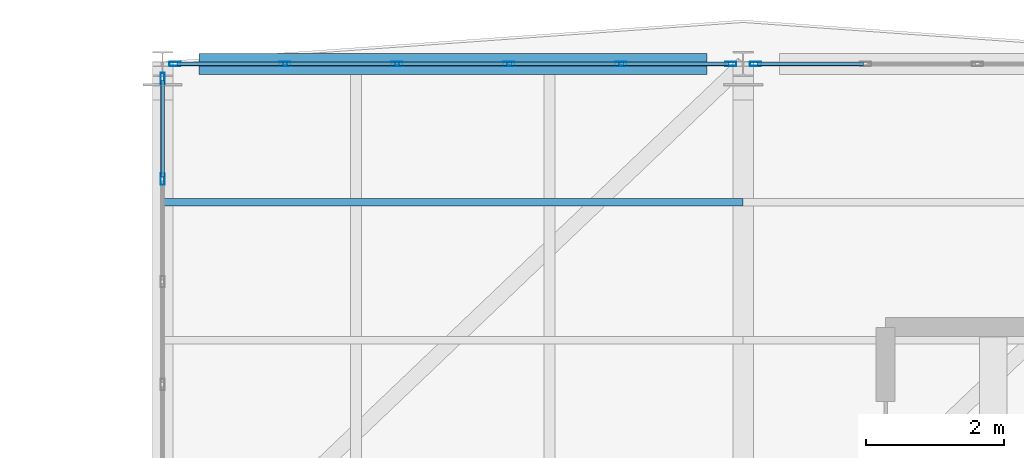
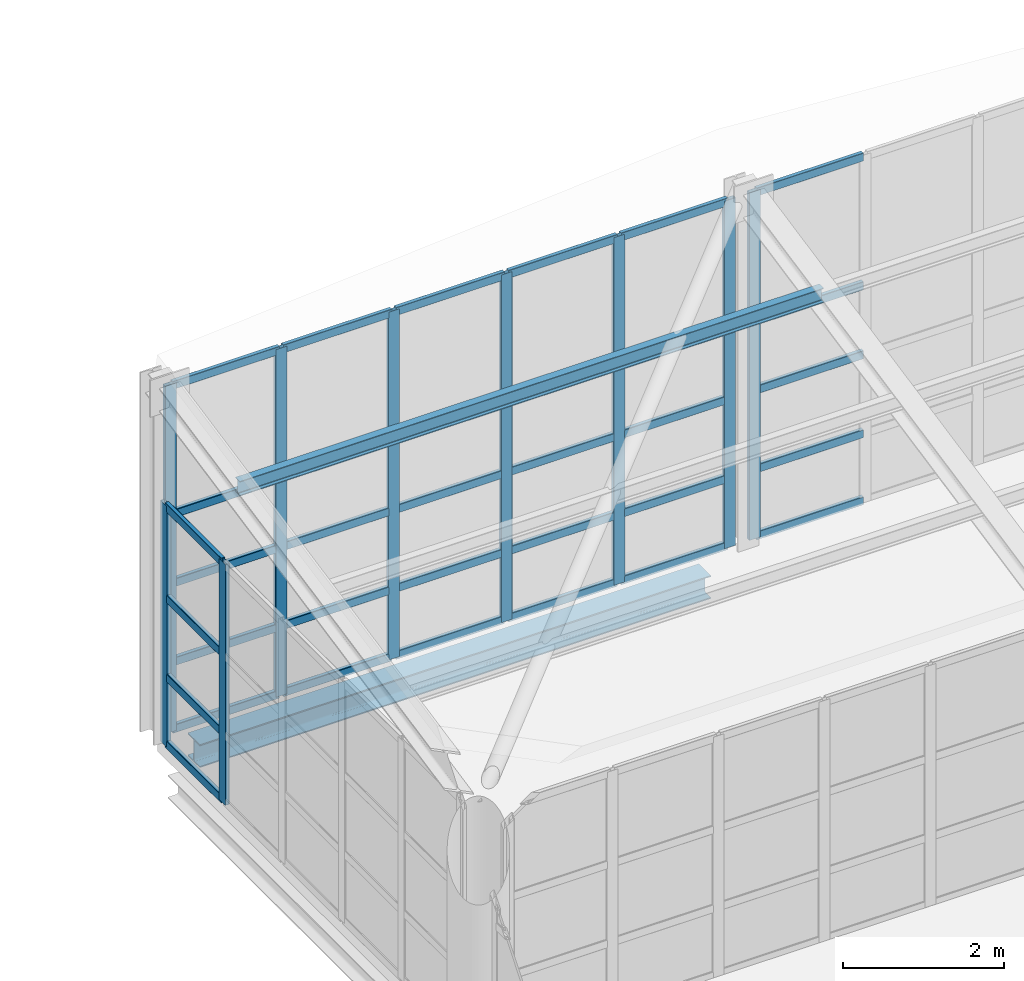
# One storey, part 83 of 177: 44 members, 1 beam, 3 elements without a shape of their own.
"""IFC4 building model written with IfcOpenShell, lengths in metres."""

import ifcopenshell
import ifcopenshell.guid

model = None  # the IFC model being written
_history = None  # IfcOwnerHistory: only IFC2X3 demands one
_inside = {}  # id of a spatial element -> (the spatial element, [elements in it])
_under = {}  # id of a project, library or spatial element -> (it, [spatial elements below it])
_declared = {}  # id of a project -> (the project, [libraries it declares])
_typed = {}  # id of a type object -> (the type object, [elements of that type])
_made_of = {}  # id of a material, layer set ... -> (it, [elements and type objects made of it])


def new_model(schema):
    """Start an empty IFC model of exactly this schema.

    Asked for "IFC4X3", IfcOpenShell would pick the latest addendum, in which some entities
    have other attributes; the version numbers below select the first issue.
    IFC2X3 requires an IfcOwnerHistory on every rooted entity: one is made here for all.
    """
    global model, _history
    if schema == "IFC4X3":
        model = ifcopenshell.file(schema_version=(4, 3, 0, 0))
    else:
        model = ifcopenshell.file(schema=schema)
    _inside.clear()
    _under.clear()
    _declared.clear()
    _typed.clear()
    _made_of.clear()
    _history = None
    if model.schema == "IFC2X3":
        org = make("IfcOrganization", Name="unknown")
        user = make(
            "IfcPersonAndOrganization",
            ThePerson=make("IfcPerson", FamilyName="unknown"),
            TheOrganization=org,
        )
        app = make(
            "IfcApplication",
            ApplicationDeveloper=org,
            Version="unknown",
            ApplicationFullName="unknown",
            ApplicationIdentifier="unknown",
        )
        _history = make(
            "IfcOwnerHistory",
            OwningUser=user,
            OwningApplication=app,
            ChangeAction="ADDED",
            CreationDate=0,
        )
    return model


def make(cls, **values):
    """One entity of the class cls with the attributes given. An attribute that is None is left unset."""
    return model.create_entity(
        cls, **{name: value for name, value in values.items() if value is not None}
    )


def rooted(cls, **values):
    """An entity with a GlobalId (a new one), such as an element, a storey or a relation."""
    return make(cls, GlobalId=ifcopenshell.guid.new(), OwnerHistory=_history, **values)


def si_unit(unit_type, name, prefix=None):
    """IfcSIUnit, for example si_unit("LENGTHUNIT", "METRE", prefix="MILLI")."""
    return make("IfcSIUnit", UnitType=unit_type, Prefix=prefix, Name=name)


def assignment(units):
    """IfcUnitAssignment: the units of a project."""
    return None if units is None else make("IfcUnitAssignment", Units=units)


def point(xyz):
    """IfcCartesianPoint."""
    return None if xyz is None else make("IfcCartesianPoint", Coordinates=xyz)


def direction(xyz):
    """IfcDirection."""
    return None if xyz is None else make("IfcDirection", DirectionRatios=xyz)


def frame(location, z_axis=None, x_axis=None):
    """IfcAxis2Placement3D, a coordinate frame: its origin and axes. An axis left out is left unset."""
    return make(
        "IfcAxis2Placement3D",
        Location=point(location),
        Axis=direction(z_axis),
        RefDirection=direction(x_axis),
    )


def frame_2d(location, x_axis=None):
    """IfcAxis2Placement2D, a coordinate frame in the plane: its origin and x axis."""
    return make(
        "IfcAxis2Placement2D", Location=point(location), RefDirection=direction(x_axis)
    )


def origin():
    """The frame at (0, 0, 0) with its axes left unset."""
    return frame((0.0, 0.0, 0.0))


def origin_2d():
    """The frame at (0, 0) in the plane with its x axis left unset."""
    return frame_2d((0.0, 0.0))


def place(relative_to, where):
    """IfcLocalPlacement: puts the frame where relative to a parent placement (None: the world)."""
    return make(
        "IfcLocalPlacement", PlacementRelTo=relative_to, RelativePlacement=where
    )


def context(
    kind, dimensions, precision=None, world=None, true_north=None, identifier=None
):
    """IfcGeometricRepresentationContext, for example the 3D "Model" context."""
    return make(
        "IfcGeometricRepresentationContext",
        ContextIdentifier=identifier,
        ContextType=kind,
        CoordinateSpaceDimension=dimensions,
        Precision=precision,
        WorldCoordinateSystem=world,
        TrueNorth=true_north,
    )


def subcontext(parent, identifier, kind, view, scale=None):
    """IfcGeometricRepresentationSubContext, for example "Body" below "Model"."""
    return make(
        "IfcGeometricRepresentationSubContext",
        ContextIdentifier=identifier,
        ContextType=kind,
        ParentContext=parent,
        TargetScale=scale,
        TargetView=view,
    )


def project(units=None, contexts=None):
    """IfcProject with its units and contexts."""
    return rooted(
        "IfcProject",
        Name="project",
        RepresentationContexts=contexts,
        UnitsInContext=assignment(units),
    )


def spatial(cls, under=None, at=None, **own):
    """A site, building, storey or space (cls), placed at a placement, below another one or the project."""
    s = rooted(cls, ObjectPlacement=at, **own)
    if under is not None:
        _under.setdefault(under.id(), (under, []))[1].append(s)
    return s


def profile(cls, at=None, kind="AREA", **sizes):
    """A parametric profile (cls). Its sizes go by their IFC names, for example OverallWidth=200.0."""
    return make(cls, ProfileType=kind, Position=at, **sizes)


def hollow_rectangle(**sizes):
    """IfcRectangleHollowProfileDef."""
    return profile("IfcRectangleHollowProfileDef", **sizes)


def i_section(**sizes):
    """IfcIShapeProfileDef."""
    return profile("IfcIShapeProfileDef", **sizes)


def extrude(swept, where, along, depth):
    """IfcExtrudedAreaSolid: the profile swept, set in the frame where, extruded along a direction by depth."""
    return make(
        "IfcExtrudedAreaSolid",
        SweptArea=swept,
        Position=where,
        ExtrudedDirection=direction(along),
        Depth=depth,
    )


def shape(context_of_items, identifier, shape_type, items):
    """IfcShapeRepresentation: the items that make up one representation, for example the "Body"."""
    return make(
        "IfcShapeRepresentation",
        ContextOfItems=context_of_items,
        RepresentationIdentifier=identifier,
        RepresentationType=shape_type,
        Items=items,
    )


def material(Name=None, Category=None):
    """IfcMaterial."""
    return make("IfcMaterial", Name=Name, Category=Category)


def layer(
    of_material, thickness, ventilated=None, Name=None, Category=None, Priority=None
):
    """IfcMaterialLayer: one layer of a wall or slab, of a material (None: an air gap)."""
    return make(
        "IfcMaterialLayer",
        Material=of_material,
        LayerThickness=thickness,
        IsVentilated=ventilated,
        Name=Name,
        Category=Category,
        Priority=Priority,
    )


def layer_set(layers, Name=None):
    """IfcMaterialLayerSet."""
    return make("IfcMaterialLayerSet", MaterialLayers=layers, LayerSetName=Name)


def material_profile(
    of_material, cross_section, Name=None, Category=None, Priority=None
):
    """IfcMaterialProfile: a cross section and its material."""
    return make(
        "IfcMaterialProfile",
        Name=Name,
        Material=of_material,
        Profile=cross_section,
        Priority=Priority,
        Category=Category,
    )


def profile_set(profiles, Name=None, composite=None):
    """IfcMaterialProfileSet."""
    return make(
        "IfcMaterialProfileSet",
        Name=Name,
        MaterialProfiles=profiles,
        CompositeProfile=composite,
    )


def made_of(thing, what):
    """Note that an element or type object is made of a material, layer set ...; save() writes the relation."""
    if what is not None:
        _made_of.setdefault(what.id(), (what, []))[1].append(thing)
    return thing


def type_object(cls, material=None, **own):
    """A type object (cls), such as IfcWallType, which elements share."""
    return made_of(rooted(cls, **own), material)


def element(
    cls,
    number,
    at=None,
    inside=None,
    cuts=None,
    type_object=None,
    material=None,
    context=None,
    identifier="Body",
    shape_type=None,
    held_by="IfcProductDefinitionShape",
    body=None,
    shapes=None,
    **own,
):
    """One element of the class cls, such as IfcWall. Its Tag is "e" and its number.

    at: its placement. inside: the storey or other place that contains it. cuts: it is an
    opening in that element (IfcRelVoidsElement). A single representation is given by context,
    identifier, shape_type and body (its items); several are given by shapes. held_by: the class
    of the entity that holds the representations. save() writes the other relations.
    """
    e = rooted(cls, Tag="e%d" % number, ObjectPlacement=at, **own)
    if body is not None:
        shapes = [shape(context, identifier, shape_type, body)]
    if shapes is not None:
        e.Representation = make(held_by, Representations=shapes)
    if inside is not None:
        _inside.setdefault(inside.id(), (inside, []))[1].append(e)
    if cuts is not None:
        rooted(
            "IfcRelVoidsElement", RelatingBuildingElement=cuts, RelatedOpeningElement=e
        )
    if type_object is not None:
        _typed.setdefault(type_object.id(), (type_object, []))[1].append(e)
    return made_of(e, material)


def aggregate(whole, parts):
    """IfcRelAggregates: a whole, such as a stair, and the parts it consists of."""
    return rooted("IfcRelAggregates", RelatingObject=whole, RelatedObjects=parts)


def save(model, path):
    """Write the relations noted so far, then the file.

    IfcRelAggregates (storeys below a building ...), IfcRelContainedInSpatialStructure (elements
    in a storey), IfcRelDefinesByType, IfcRelAssociatesMaterial and IfcRelDeclares: one each for
    every whole, place, type object, material and project.
    """
    for whole, parts in _under.values():
        aggregate(whole, parts)
    for where, things in _inside.values():
        rooted(
            "IfcRelContainedInSpatialStructure",
            RelatedElements=things,
            RelatingStructure=where,
        )
    for kind, things in _typed.values():
        rooted("IfcRelDefinesByType", RelatedObjects=things, RelatingType=kind)
    for what, things in _made_of.values():
        rooted("IfcRelAssociatesMaterial", RelatedObjects=things, RelatingMaterial=what)
    for by, libraries in _declared.values():
        rooted("IfcRelDeclares", RelatingContext=by, RelatedDefinitions=libraries)
    model.write(path)


model = new_model("IFC4")

# Units and contexts
model_context = context("Model", 3, precision=1e-05, world=origin(), true_north=direction((0.0, 1.0)))
body_context = subcontext(model_context, "Body", "Model", "MODEL_VIEW")
ifc_project = project(units=[si_unit("LENGTHUNIT", "METRE"), si_unit("AREAUNIT", "SQUARE_METRE"), si_unit("VOLUMEUNIT", "CUBIC_METRE"), si_unit("PLANEANGLEUNIT", "RADIAN"), si_unit("MASSUNIT", "GRAM", prefix="KILO"), si_unit("THERMODYNAMICTEMPERATUREUNIT", "KELVIN"), si_unit("POWERUNIT", "WATT")], contexts=[model_context])

# Site, building, storey
site_placement = place(None, origin())
site = spatial("IfcSite", under=ifc_project, at=site_placement, CompositionType="ELEMENT")
building_placement = place(site_placement, origin())
building = spatial("IfcBuilding", under=site, at=building_placement, Name="Mavoryth Pier Ferry Terminal", CompositionType="ELEMENT")
storey_placement = place(building_placement, frame((0.0, 0.0, 5.43994140625)))
storey = spatial("IfcBuildingStorey", under=building, at=storey_placement, Name="L01", CompositionType="ELEMENT", Elevation=5.43994140625)

# Curtain wall, members
ifc_material_1 = material(Name="Anodised Aluminium and Solar-Control Low-E Glass", Category="aluminium")
ifc_layer = layer(ifc_material_1, 0.139892578125, Name="Anodised Aluminium and Solar-Control Low-E Glass", Category="aluminium")
ifc_layer_set = layer_set([ifc_layer], Name="Anodised Aluminium and Solar-Control Low-E Glass - CW-Gallery-Mod1600")
curtain_wall_type = type_object("IfcCurtainWallType", Name="CW-Gallery-Mod1600", PredefinedType="USERDEFINED", material=ifc_layer_set)
curtain_wall_1_placement = place(storey_placement, origin())
curtain_wall_1 = element("IfcCurtainWall", 1, at=curtain_wall_1_placement, inside=storey, type_object=curtain_wall_type, Name="Curtain Wall CW-0122-077", ObjectType="UNITISED CURTAIN WALL", PredefinedType="USERDEFINED")
ifc_material_2 = material(Name="Anodised Aluminium EN AW-6063", Category="aluminium")
ifc_material_profile_1 = material_profile(ifc_material_2, hollow_rectangle(XDim=0.06005859375, YDim=0.1650390625, WallThickness=0.00390625, InnerFilletRadius=0.00390625, OuterFilletRadius=0.008056640625, at=origin_2d()), Name="AL-MULL 165x60x4", Category="aluminium")
ifc_profile_set_1 = profile_set([ifc_material_profile_1], Name="Anodised Aluminium EN AW-6063 - AL-MULL 165x60x4")
member_type_1 = type_object("IfcMemberType", Name="Mullion-Alum-165x60", PredefinedType="MULLION", material=ifc_profile_set_1)
member_1_placement = place(storey_placement, frame((58.6201171875, 114.0, 0.0), z_axis=(0.0, 0.0, 1.0), x_axis=(0.0, -1.0, 0.0)))
member_1 = element("IfcMember", 2, at=member_1_placement, type_object=member_type_1, Name="CW05 mullion 1", PredefinedType="MULLION", context=body_context, shape_type="SweptSolid", body=[
    extrude(hollow_rectangle(XDim=0.06005859375, YDim=0.1650390625, WallThickness=0.00390625, InnerFilletRadius=0.00390625, OuterFilletRadius=0.008056640625, at=origin_2d()), origin(), (0.0, 0.0, 1.0), 5.28759765625),
])
member_2_placement = place(storey_placement, frame((57.030029296875, 114.0, 0.0), z_axis=(0.0, 0.0, 1.0), x_axis=(0.0, -1.0, 0.0)))
member_2 = element("IfcMember", 3, at=member_2_placement, type_object=member_type_1, Name="CW05 mullion 2", PredefinedType="MULLION", context=body_context, shape_type="SweptSolid", body=[
    extrude(hollow_rectangle(XDim=0.06005859375, YDim=0.1650390625, WallThickness=0.00390625, InnerFilletRadius=0.00390625, OuterFilletRadius=0.008056640625, at=origin_2d()), origin(), (0.0, 0.0, 1.0), 5.28759765625),
])
member_3_placement = place(storey_placement, frame((55.409912109375, 114.0, 0.0), z_axis=(0.0, 0.0, 1.0), x_axis=(0.0, -1.0, 0.0)))
member_3 = element("IfcMember", 4, at=member_3_placement, type_object=member_type_1, Name="CW05 mullion 3", PredefinedType="MULLION", context=body_context, shape_type="SweptSolid", body=[
    extrude(hollow_rectangle(XDim=0.06005859375, YDim=0.1650390625, WallThickness=0.00390625, InnerFilletRadius=0.00390625, OuterFilletRadius=0.008056640625, at=origin_2d()), origin(), (0.0, 0.0, 1.0), 5.28759765625),
])
member_4_placement = place(storey_placement, frame((53.7900390625, 114.0, 0.0), z_axis=(0.0, 0.0, 1.0), x_axis=(0.0, -1.0, 0.0)))
member_4 = element("IfcMember", 5, at=member_4_placement, type_object=member_type_1, Name="CW05 mullion 4", PredefinedType="MULLION", context=body_context, shape_type="SweptSolid", body=[
    extrude(hollow_rectangle(XDim=0.06005859375, YDim=0.1650390625, WallThickness=0.00390625, InnerFilletRadius=0.00390625, OuterFilletRadius=0.008056640625, at=origin_2d()), origin(), (0.0, 0.0, 1.0), 5.28759765625),
])
member_5_placement = place(storey_placement, frame((52.169921875, 114.0, 0.0), z_axis=(0.0, 0.0, 1.0), x_axis=(0.0, -1.0, 0.0)))
member_5 = element("IfcMember", 6, at=member_5_placement, type_object=member_type_1, Name="CW05 mullion 5", PredefinedType="MULLION", context=body_context, shape_type="SweptSolid", body=[
    extrude(hollow_rectangle(XDim=0.06005859375, YDim=0.1650390625, WallThickness=0.00390625, InnerFilletRadius=0.00390625, OuterFilletRadius=0.008056640625, at=origin_2d()), origin(), (0.0, 0.0, 1.0), 5.28759765625),
])
member_6_placement = place(storey_placement, frame((50.580078125, 114.0, 0.0), z_axis=(0.0, 0.0, 1.0), x_axis=(0.0, -1.0, 0.0)))
member_6 = element("IfcMember", 7, at=member_6_placement, type_object=member_type_1, Name="CW05 mullion 6", PredefinedType="MULLION", context=body_context, shape_type="SweptSolid", body=[
    extrude(hollow_rectangle(XDim=0.06005859375, YDim=0.1650390625, WallThickness=0.00390625, InnerFilletRadius=0.00390625, OuterFilletRadius=0.008056640625, at=origin_2d()), origin(), (0.0, 0.0, 1.0), 5.28759765625),
])

# Curtain wall, member
curtain_wall_2_placement = place(storey_placement, origin())
curtain_wall_2 = element("IfcCurtainWall", 8, at=curtain_wall_2_placement, inside=storey, type_object=curtain_wall_type, Name="Curtain Wall CW-0122-078", ObjectType="UNITISED CURTAIN WALL", PredefinedType="USERDEFINED")
member_7_placement = place(storey_placement, frame((58.97998046875, 114.0, 0.0), z_axis=(0.0, 0.0, 1.0), x_axis=(0.0, -1.0, 0.0)))
member_7 = element("IfcMember", 9, at=member_7_placement, type_object=member_type_1, Name="CW05 mullion 6", PredefinedType="MULLION", context=body_context, shape_type="SweptSolid", body=[
    extrude(hollow_rectangle(XDim=0.06005859375, YDim=0.1650390625, WallThickness=0.00390625, InnerFilletRadius=0.00390625, OuterFilletRadius=0.008056640625, at=origin_2d()), origin(), (0.0, 0.0, 1.0), 5.28759765625),
])

# Curtain wall, members
curtain_wall_3_placement = place(storey_placement, origin())
curtain_wall_3 = element("IfcCurtainWall", 10, at=curtain_wall_3_placement, inside=storey, type_object=curtain_wall_type, Name="Curtain Wall CW-0122-096", ObjectType="UNITISED CURTAIN WALL", PredefinedType="USERDEFINED")
member_8_placement = place(storey_placement, frame((50.39990234375, 113.7900390625, 0.0), z_axis=(0.0, 0.0, 1.0), x_axis=(1.0, 0.0, 0.0)))
member_8 = element("IfcMember", 11, at=member_8_placement, type_object=member_type_1, Name="CW05 mullion 1", PredefinedType="MULLION", context=body_context, shape_type="SweptSolid", body=[
    extrude(hollow_rectangle(XDim=0.06005859375, YDim=0.1650390625, WallThickness=0.00390625, InnerFilletRadius=0.00390625, OuterFilletRadius=0.008056640625, at=origin_2d()), origin(), (0.0, 0.0, 1.0), 3.66015625),
])
member_9_placement = place(storey_placement, frame((50.39990234375, 112.333984375, 0.0), z_axis=(0.0, 0.0, 1.0), x_axis=(1.0, 0.0, 0.0)))
member_9 = element("IfcMember", 12, at=member_9_placement, type_object=member_type_1, Name="CW05 mullion 2", PredefinedType="MULLION", context=body_context, shape_type="SweptSolid", body=[
    extrude(hollow_rectangle(XDim=0.06005859375, YDim=0.1650390625, WallThickness=0.00390625, InnerFilletRadius=0.00390625, OuterFilletRadius=0.008056640625, at=origin_2d()), origin(), (0.0, 0.0, 1.0), 3.66015625),
])

# Member
ifc_material_3 = material(Name="Steel S355J2", Category="steel")
ifc_material_profile_2 = material_profile(ifc_material_3, i_section(OverallWidth=0.110107421875, OverallDepth=0.219970703125, WebThickness=0.005859375, FlangeThickness=0.00927734375, FilletRadius=0.011962890625, at=origin_2d()), Name="IPE 220", Category="steel")
ifc_profile_set_2 = profile_set([ifc_material_profile_2], Name="Steel S355J2 - IPE 220")
member_type_2 = type_object("IfcMemberType", Name="Purlin-Roof-IPE220", PredefinedType="PURLIN", material=ifc_profile_set_2)
member_10_placement = place(storey_placement, frame((50.39990234375, 112.0, 4.991943359375), z_axis=(1.0, 0.0, 0.0), x_axis=(0.0, 1.0, 0.0)))
element("IfcMember", 13, at=member_10_placement, inside=storey, type_object=member_type_2, Name="Steel Member MB-L01-0252", PredefinedType="PURLIN", context=body_context, shape_type="SweptSolid", body=[
    extrude(i_section(OverallWidth=0.110107421875, OverallDepth=0.219970703125, WebThickness=0.005859375, FlangeThickness=0.00927734375, FilletRadius=0.011962890625, at=origin_2d()), origin(), (0.0, 0.0, 1.0), 8.400146484375),
])

# Beam
ifc_material_profile_3 = material_profile(ifc_material_3, i_section(OverallWidth=0.300048828125, OverallDepth=0.35009765625, WebThickness=0.010009765625, FlangeThickness=0.017578125, FilletRadius=0.027099609375, at=origin_2d()), Name="HEA 360", Category="steel")
ifc_profile_set_3 = profile_set([ifc_material_profile_3], Name="Steel S355J2 - HEA 360")
beam_type = type_object("IfcBeamType", Name="Spandrel-Steel-HEA360", PredefinedType="SPANDREL", material=ifc_profile_set_3)
beam_placement = place(storey_placement, frame((50.925048828125, 114.0, -0.4150390625), z_axis=(1.0, 0.0, 0.0), x_axis=(0.0, 1.0, 0.0)))
element("IfcBeam", 14, at=beam_placement, inside=storey, type_object=beam_type, Name="Beam B01-SP03-0266", PredefinedType="SPANDREL", context=body_context, shape_type="SweptSolid", body=[
    extrude(i_section(OverallWidth=0.300048828125, OverallDepth=0.35009765625, WebThickness=0.010009765625, FlangeThickness=0.017578125, FilletRadius=0.027099609375, at=origin_2d()), origin(), (0.0, 0.0, 1.0), 7.349853515625),
])

# Member
ifc_material_profile_4 = material_profile(ifc_material_2, hollow_rectangle(XDim=0.06005859375, YDim=0.125, WallThickness=0.00390625, InnerFilletRadius=0.00390625, OuterFilletRadius=0.008056640625, at=origin_2d()), Name="AL-TRAN 125x60x4", Category="aluminium")
ifc_profile_set_4 = profile_set([ifc_material_profile_4], Name="Anodised Aluminium EN AW-6063 - AL-TRAN 125x60x4")
member_type_3 = type_object("IfcMemberType", Name="Transom-Alum-125x60", PredefinedType="USERDEFINED", material=ifc_profile_set_4)
member_11_placement = place(storey_placement, frame((58.590087890625, 114.0, 0.030029296875), z_axis=(-1.0, 0.0, 0.0), x_axis=(0.0, -1.0, 0.0)))
member_11 = element("IfcMember", 15, at=member_11_placement, type_object=member_type_3, Name="CW05 transom 1.1", ObjectType="TRANSOM", PredefinedType="USERDEFINED", context=body_context, shape_type="SweptSolid", body=[
    extrude(hollow_rectangle(XDim=0.06005859375, YDim=0.125, WallThickness=0.00390625, InnerFilletRadius=0.00390625, OuterFilletRadius=0.008056640625, at=origin_2d()), origin(), (0.0, 0.0, 1.0), 1.530029296875),
])

member_12_placement = place(storey_placement, frame((58.590087890625, 114.0, 1.050048828125), z_axis=(-1.0, 0.0, 0.0), x_axis=(0.0, -1.0, 0.0)))
member_12 = element("IfcMember", 16, at=member_12_placement, type_object=member_type_3, Name="CW05 transom 1.2", ObjectType="TRANSOM", PredefinedType="USERDEFINED", context=body_context, shape_type="SweptSolid", body=[
    extrude(hollow_rectangle(XDim=0.06005859375, YDim=0.125, WallThickness=0.00390625, InnerFilletRadius=0.00390625, OuterFilletRadius=0.008056640625, at=origin_2d()), origin(), (0.0, 0.0, 1.0), 1.530029296875),
])

member_13_placement = place(storey_placement, frame((58.590087890625, 114.0, 2.25), z_axis=(-1.0, 0.0, 0.0), x_axis=(0.0, -1.0, 0.0)))
member_13 = element("IfcMember", 17, at=member_13_placement, type_object=member_type_3, Name="CW05 transom 1.3", ObjectType="TRANSOM", PredefinedType="USERDEFINED", context=body_context, shape_type="SweptSolid", body=[
    extrude(hollow_rectangle(XDim=0.06005859375, YDim=0.125, WallThickness=0.00390625, InnerFilletRadius=0.00390625, OuterFilletRadius=0.008056640625, at=origin_2d()), origin(), (0.0, 0.0, 1.0), 1.530029296875),
])

member_14_placement = place(storey_placement, frame((58.590087890625, 114.0, 3.300048828125), z_axis=(-1.0, 0.0, 0.0), x_axis=(0.0, -1.0, 0.0)))
member_14 = element("IfcMember", 18, at=member_14_placement, type_object=member_type_3, Name="CW05 transom 1.4", ObjectType="TRANSOM", PredefinedType="USERDEFINED", context=body_context, shape_type="SweptSolid", body=[
    extrude(hollow_rectangle(XDim=0.06005859375, YDim=0.125, WallThickness=0.00390625, InnerFilletRadius=0.00390625, OuterFilletRadius=0.008056640625, at=origin_2d()), origin(), (0.0, 0.0, 1.0), 1.530029296875),
])

member_15_placement = place(storey_placement, frame((58.590087890625, 114.0, 5.257568359375), z_axis=(-1.0, 0.0, 0.0), x_axis=(0.0, -1.0, 0.0)))
member_15 = element("IfcMember", 19, at=member_15_placement, type_object=member_type_3, Name="CW05 transom 1.5", ObjectType="TRANSOM", PredefinedType="USERDEFINED", context=body_context, shape_type="SweptSolid", body=[
    extrude(hollow_rectangle(XDim=0.06005859375, YDim=0.125, WallThickness=0.00390625, InnerFilletRadius=0.00390625, OuterFilletRadius=0.008056640625, at=origin_2d()), origin(), (0.0, 0.0, 1.0), 1.530029296875),
])

member_16_placement = place(storey_placement, frame((57.0, 114.0, 0.030029296875), z_axis=(-1.0, 0.0, 0.0), x_axis=(0.0, -1.0, 0.0)))
member_16 = element("IfcMember", 20, at=member_16_placement, type_object=member_type_3, Name="CW05 transom 2.1", ObjectType="TRANSOM", PredefinedType="USERDEFINED", context=body_context, shape_type="SweptSolid", body=[
    extrude(hollow_rectangle(XDim=0.06005859375, YDim=0.125, WallThickness=0.00390625, InnerFilletRadius=0.00390625, OuterFilletRadius=0.008056640625, at=origin_2d()), origin(), (0.0, 0.0, 1.0), 1.56005859375),
])

member_17_placement = place(storey_placement, frame((57.0, 114.0, 1.050048828125), z_axis=(-1.0, 0.0, 0.0), x_axis=(0.0, -1.0, 0.0)))
member_17 = element("IfcMember", 21, at=member_17_placement, type_object=member_type_3, Name="CW05 transom 2.2", ObjectType="TRANSOM", PredefinedType="USERDEFINED", context=body_context, shape_type="SweptSolid", body=[
    extrude(hollow_rectangle(XDim=0.06005859375, YDim=0.125, WallThickness=0.00390625, InnerFilletRadius=0.00390625, OuterFilletRadius=0.008056640625, at=origin_2d()), origin(), (0.0, 0.0, 1.0), 1.56005859375),
])

member_18_placement = place(storey_placement, frame((57.0, 114.0, 2.25), z_axis=(-1.0, 0.0, 0.0), x_axis=(0.0, -1.0, 0.0)))
member_18 = element("IfcMember", 22, at=member_18_placement, type_object=member_type_3, Name="CW05 transom 2.3", ObjectType="TRANSOM", PredefinedType="USERDEFINED", context=body_context, shape_type="SweptSolid", body=[
    extrude(hollow_rectangle(XDim=0.06005859375, YDim=0.125, WallThickness=0.00390625, InnerFilletRadius=0.00390625, OuterFilletRadius=0.008056640625, at=origin_2d()), origin(), (0.0, 0.0, 1.0), 1.56005859375),
])

member_19_placement = place(storey_placement, frame((57.0, 114.0, 3.300048828125), z_axis=(-1.0, 0.0, 0.0), x_axis=(0.0, -1.0, 0.0)))
member_19 = element("IfcMember", 23, at=member_19_placement, type_object=member_type_3, Name="CW05 transom 2.4", ObjectType="TRANSOM", PredefinedType="USERDEFINED", context=body_context, shape_type="SweptSolid", body=[
    extrude(hollow_rectangle(XDim=0.06005859375, YDim=0.125, WallThickness=0.00390625, InnerFilletRadius=0.00390625, OuterFilletRadius=0.008056640625, at=origin_2d()), origin(), (0.0, 0.0, 1.0), 1.56005859375),
])

member_20_placement = place(storey_placement, frame((57.0, 114.0, 5.257568359375), z_axis=(-1.0, 0.0, 0.0), x_axis=(0.0, -1.0, 0.0)))
member_20 = element("IfcMember", 24, at=member_20_placement, type_object=member_type_3, Name="CW05 transom 2.5", ObjectType="TRANSOM", PredefinedType="USERDEFINED", context=body_context, shape_type="SweptSolid", body=[
    extrude(hollow_rectangle(XDim=0.06005859375, YDim=0.125, WallThickness=0.00390625, InnerFilletRadius=0.00390625, OuterFilletRadius=0.008056640625, at=origin_2d()), origin(), (0.0, 0.0, 1.0), 1.56005859375),
])

member_21_placement = place(storey_placement, frame((55.3798828125, 114.0, 0.030029296875), z_axis=(-1.0, 0.0, 0.0), x_axis=(0.0, -1.0, 0.0)))
member_21 = element("IfcMember", 25, at=member_21_placement, type_object=member_type_3, Name="CW05 transom 3.1", ObjectType="TRANSOM", PredefinedType="USERDEFINED", context=body_context, shape_type="SweptSolid", body=[
    extrude(hollow_rectangle(XDim=0.06005859375, YDim=0.125, WallThickness=0.00390625, InnerFilletRadius=0.00390625, OuterFilletRadius=0.008056640625, at=origin_2d()), origin(), (0.0, 0.0, 1.0), 1.559814453125),
])

member_22_placement = place(storey_placement, frame((55.3798828125, 114.0, 1.050048828125), z_axis=(-1.0, 0.0, 0.0), x_axis=(0.0, -1.0, 0.0)))
member_22 = element("IfcMember", 26, at=member_22_placement, type_object=member_type_3, Name="CW05 transom 3.2", ObjectType="TRANSOM", PredefinedType="USERDEFINED", context=body_context, shape_type="SweptSolid", body=[
    extrude(hollow_rectangle(XDim=0.06005859375, YDim=0.125, WallThickness=0.00390625, InnerFilletRadius=0.00390625, OuterFilletRadius=0.008056640625, at=origin_2d()), origin(), (0.0, 0.0, 1.0), 1.559814453125),
])

member_23_placement = place(storey_placement, frame((55.3798828125, 114.0, 2.25), z_axis=(-1.0, 0.0, 0.0), x_axis=(0.0, -1.0, 0.0)))
member_23 = element("IfcMember", 27, at=member_23_placement, type_object=member_type_3, Name="CW05 transom 3.3", ObjectType="TRANSOM", PredefinedType="USERDEFINED", context=body_context, shape_type="SweptSolid", body=[
    extrude(hollow_rectangle(XDim=0.06005859375, YDim=0.125, WallThickness=0.00390625, InnerFilletRadius=0.00390625, OuterFilletRadius=0.008056640625, at=origin_2d()), origin(), (0.0, 0.0, 1.0), 1.559814453125),
])

member_24_placement = place(storey_placement, frame((55.3798828125, 114.0, 3.300048828125), z_axis=(-1.0, 0.0, 0.0), x_axis=(0.0, -1.0, 0.0)))
member_24 = element("IfcMember", 28, at=member_24_placement, type_object=member_type_3, Name="CW05 transom 3.4", ObjectType="TRANSOM", PredefinedType="USERDEFINED", context=body_context, shape_type="SweptSolid", body=[
    extrude(hollow_rectangle(XDim=0.06005859375, YDim=0.125, WallThickness=0.00390625, InnerFilletRadius=0.00390625, OuterFilletRadius=0.008056640625, at=origin_2d()), origin(), (0.0, 0.0, 1.0), 1.559814453125),
])

member_25_placement = place(storey_placement, frame((55.3798828125, 114.0, 5.257568359375), z_axis=(-1.0, 0.0, 0.0), x_axis=(0.0, -1.0, 0.0)))
member_25 = element("IfcMember", 29, at=member_25_placement, type_object=member_type_3, Name="CW05 transom 3.5", ObjectType="TRANSOM", PredefinedType="USERDEFINED", context=body_context, shape_type="SweptSolid", body=[
    extrude(hollow_rectangle(XDim=0.06005859375, YDim=0.125, WallThickness=0.00390625, InnerFilletRadius=0.00390625, OuterFilletRadius=0.008056640625, at=origin_2d()), origin(), (0.0, 0.0, 1.0), 1.559814453125),
])

member_26_placement = place(storey_placement, frame((53.760009765625, 114.0, 0.030029296875), z_axis=(-1.0, 0.0, 0.0), x_axis=(0.0, -1.0, 0.0)))
member_26 = element("IfcMember", 30, at=member_26_placement, type_object=member_type_3, Name="CW05 transom 4.1", ObjectType="TRANSOM", PredefinedType="USERDEFINED", context=body_context, shape_type="SweptSolid", body=[
    extrude(hollow_rectangle(XDim=0.06005859375, YDim=0.125, WallThickness=0.00390625, InnerFilletRadius=0.00390625, OuterFilletRadius=0.008056640625, at=origin_2d()), origin(), (0.0, 0.0, 1.0), 1.56005859375),
])

member_27_placement = place(storey_placement, frame((53.760009765625, 114.0, 1.050048828125), z_axis=(-1.0, 0.0, 0.0), x_axis=(0.0, -1.0, 0.0)))
member_27 = element("IfcMember", 31, at=member_27_placement, type_object=member_type_3, Name="CW05 transom 4.2", ObjectType="TRANSOM", PredefinedType="USERDEFINED", context=body_context, shape_type="SweptSolid", body=[
    extrude(hollow_rectangle(XDim=0.06005859375, YDim=0.125, WallThickness=0.00390625, InnerFilletRadius=0.00390625, OuterFilletRadius=0.008056640625, at=origin_2d()), origin(), (0.0, 0.0, 1.0), 1.56005859375),
])

member_28_placement = place(storey_placement, frame((53.760009765625, 114.0, 2.25), z_axis=(-1.0, 0.0, 0.0), x_axis=(0.0, -1.0, 0.0)))
member_28 = element("IfcMember", 32, at=member_28_placement, type_object=member_type_3, Name="CW05 transom 4.3", ObjectType="TRANSOM", PredefinedType="USERDEFINED", context=body_context, shape_type="SweptSolid", body=[
    extrude(hollow_rectangle(XDim=0.06005859375, YDim=0.125, WallThickness=0.00390625, InnerFilletRadius=0.00390625, OuterFilletRadius=0.008056640625, at=origin_2d()), origin(), (0.0, 0.0, 1.0), 1.56005859375),
])

member_29_placement = place(storey_placement, frame((53.760009765625, 114.0, 3.300048828125), z_axis=(-1.0, 0.0, 0.0), x_axis=(0.0, -1.0, 0.0)))
member_29 = element("IfcMember", 33, at=member_29_placement, type_object=member_type_3, Name="CW05 transom 4.4", ObjectType="TRANSOM", PredefinedType="USERDEFINED", context=body_context, shape_type="SweptSolid", body=[
    extrude(hollow_rectangle(XDim=0.06005859375, YDim=0.125, WallThickness=0.00390625, InnerFilletRadius=0.00390625, OuterFilletRadius=0.008056640625, at=origin_2d()), origin(), (0.0, 0.0, 1.0), 1.56005859375),
])

member_30_placement = place(storey_placement, frame((53.760009765625, 114.0, 5.257568359375), z_axis=(-1.0, 0.0, 0.0), x_axis=(0.0, -1.0, 0.0)))
member_30 = element("IfcMember", 34, at=member_30_placement, type_object=member_type_3, Name="CW05 transom 4.5", ObjectType="TRANSOM", PredefinedType="USERDEFINED", context=body_context, shape_type="SweptSolid", body=[
    extrude(hollow_rectangle(XDim=0.06005859375, YDim=0.125, WallThickness=0.00390625, InnerFilletRadius=0.00390625, OuterFilletRadius=0.008056640625, at=origin_2d()), origin(), (0.0, 0.0, 1.0), 1.56005859375),
])

member_31_placement = place(storey_placement, frame((52.139892578125, 114.0, 0.030029296875), z_axis=(-1.0, 0.0, 0.0), x_axis=(0.0, -1.0, 0.0)))
member_31 = element("IfcMember", 35, at=member_31_placement, type_object=member_type_3, Name="CW05 transom 5.1", ObjectType="TRANSOM", PredefinedType="USERDEFINED", context=body_context, shape_type="SweptSolid", body=[
    extrude(hollow_rectangle(XDim=0.06005859375, YDim=0.125, WallThickness=0.00390625, InnerFilletRadius=0.00390625, OuterFilletRadius=0.008056640625, at=origin_2d()), origin(), (0.0, 0.0, 1.0), 1.52978515625),
])

member_32_placement = place(storey_placement, frame((52.139892578125, 114.0, 1.050048828125), z_axis=(-1.0, 0.0, 0.0), x_axis=(0.0, -1.0, 0.0)))
member_32 = element("IfcMember", 36, at=member_32_placement, type_object=member_type_3, Name="CW05 transom 5.2", ObjectType="TRANSOM", PredefinedType="USERDEFINED", context=body_context, shape_type="SweptSolid", body=[
    extrude(hollow_rectangle(XDim=0.06005859375, YDim=0.125, WallThickness=0.00390625, InnerFilletRadius=0.00390625, OuterFilletRadius=0.008056640625, at=origin_2d()), origin(), (0.0, 0.0, 1.0), 1.52978515625),
])

member_33_placement = place(storey_placement, frame((52.139892578125, 114.0, 2.25), z_axis=(-1.0, 0.0, 0.0), x_axis=(0.0, -1.0, 0.0)))
member_33 = element("IfcMember", 37, at=member_33_placement, type_object=member_type_3, Name="CW05 transom 5.3", ObjectType="TRANSOM", PredefinedType="USERDEFINED", context=body_context, shape_type="SweptSolid", body=[
    extrude(hollow_rectangle(XDim=0.06005859375, YDim=0.125, WallThickness=0.00390625, InnerFilletRadius=0.00390625, OuterFilletRadius=0.008056640625, at=origin_2d()), origin(), (0.0, 0.0, 1.0), 1.52978515625),
])

member_34_placement = place(storey_placement, frame((52.139892578125, 114.0, 3.300048828125), z_axis=(-1.0, 0.0, 0.0), x_axis=(0.0, -1.0, 0.0)))
member_34 = element("IfcMember", 38, at=member_34_placement, type_object=member_type_3, Name="CW05 transom 5.4", ObjectType="TRANSOM", PredefinedType="USERDEFINED", context=body_context, shape_type="SweptSolid", body=[
    extrude(hollow_rectangle(XDim=0.06005859375, YDim=0.125, WallThickness=0.00390625, InnerFilletRadius=0.00390625, OuterFilletRadius=0.008056640625, at=origin_2d()), origin(), (0.0, 0.0, 1.0), 1.52978515625),
])

member_35_placement = place(storey_placement, frame((52.139892578125, 114.0, 5.257568359375), z_axis=(-1.0, 0.0, 0.0), x_axis=(0.0, -1.0, 0.0)))
member_35 = element("IfcMember", 39, at=member_35_placement, type_object=member_type_3, Name="CW05 transom 5.5", ObjectType="TRANSOM", PredefinedType="USERDEFINED", context=body_context, shape_type="SweptSolid", body=[
    extrude(hollow_rectangle(XDim=0.06005859375, YDim=0.125, WallThickness=0.00390625, InnerFilletRadius=0.00390625, OuterFilletRadius=0.008056640625, at=origin_2d()), origin(), (0.0, 0.0, 1.0), 1.52978515625),
])

aggregate(curtain_wall_1, [member_1, member_2, member_3, member_4, member_5, member_6, member_11, member_12, member_13, member_14, member_15, member_16, member_17, member_18, member_19, member_20, member_21, member_22, member_23, member_24, member_25, member_26, member_27, member_28, member_29, member_30, member_31, member_32, member_33, member_34, member_35])

member_36_placement = place(storey_placement, frame((60.5400390625, 114.0, 0.030029296875), z_axis=(-1.0, 0.0, 0.0), x_axis=(0.0, -1.0, 0.0)))
member_36 = element("IfcMember", 40, at=member_36_placement, type_object=member_type_3, Name="CW05 transom 5.1", ObjectType="TRANSOM", PredefinedType="USERDEFINED", context=body_context, shape_type="SweptSolid", body=[
    extrude(hollow_rectangle(XDim=0.06005859375, YDim=0.125, WallThickness=0.00390625, InnerFilletRadius=0.00390625, OuterFilletRadius=0.008056640625, at=origin_2d()), origin(), (0.0, 0.0, 1.0), 1.530029296875),
])

member_37_placement = place(storey_placement, frame((60.5400390625, 114.0, 1.050048828125), z_axis=(-1.0, 0.0, 0.0), x_axis=(0.0, -1.0, 0.0)))
member_37 = element("IfcMember", 41, at=member_37_placement, type_object=member_type_3, Name="CW05 transom 5.2", ObjectType="TRANSOM", PredefinedType="USERDEFINED", context=body_context, shape_type="SweptSolid", body=[
    extrude(hollow_rectangle(XDim=0.06005859375, YDim=0.125, WallThickness=0.00390625, InnerFilletRadius=0.00390625, OuterFilletRadius=0.008056640625, at=origin_2d()), origin(), (0.0, 0.0, 1.0), 1.530029296875),
])

member_38_placement = place(storey_placement, frame((60.5400390625, 114.0, 2.25), z_axis=(-1.0, 0.0, 0.0), x_axis=(0.0, -1.0, 0.0)))
member_38 = element("IfcMember", 42, at=member_38_placement, type_object=member_type_3, Name="CW05 transom 5.3", ObjectType="TRANSOM", PredefinedType="USERDEFINED", context=body_context, shape_type="SweptSolid", body=[
    extrude(hollow_rectangle(XDim=0.06005859375, YDim=0.125, WallThickness=0.00390625, InnerFilletRadius=0.00390625, OuterFilletRadius=0.008056640625, at=origin_2d()), origin(), (0.0, 0.0, 1.0), 1.530029296875),
])

member_39_placement = place(storey_placement, frame((60.5400390625, 114.0, 3.300048828125), z_axis=(-1.0, 0.0, 0.0), x_axis=(0.0, -1.0, 0.0)))
member_39 = element("IfcMember", 43, at=member_39_placement, type_object=member_type_3, Name="CW05 transom 5.4", ObjectType="TRANSOM", PredefinedType="USERDEFINED", context=body_context, shape_type="SweptSolid", body=[
    extrude(hollow_rectangle(XDim=0.06005859375, YDim=0.125, WallThickness=0.00390625, InnerFilletRadius=0.00390625, OuterFilletRadius=0.008056640625, at=origin_2d()), origin(), (0.0, 0.0, 1.0), 1.530029296875),
])

member_40_placement = place(storey_placement, frame((60.5400390625, 114.0, 5.257568359375), z_axis=(-1.0, 0.0, 0.0), x_axis=(0.0, -1.0, 0.0)))
member_40 = element("IfcMember", 44, at=member_40_placement, type_object=member_type_3, Name="CW05 transom 5.5", ObjectType="TRANSOM", PredefinedType="USERDEFINED", context=body_context, shape_type="SweptSolid", body=[
    extrude(hollow_rectangle(XDim=0.06005859375, YDim=0.125, WallThickness=0.00390625, InnerFilletRadius=0.00390625, OuterFilletRadius=0.008056640625, at=origin_2d()), origin(), (0.0, 0.0, 1.0), 1.530029296875),
])

aggregate(curtain_wall_2, [member_7, member_36, member_37, member_38, member_39, member_40])

member_41_placement = place(storey_placement, frame((50.39990234375, 113.760009765625, 0.030029296875), z_axis=(0.0, -1.0, 0.0), x_axis=(1.0, 0.0, 0.0)))
member_41 = element("IfcMember", 45, at=member_41_placement, type_object=member_type_3, Name="CW05 transom 1.1", ObjectType="TRANSOM", PredefinedType="USERDEFINED", context=body_context, shape_type="SweptSolid", body=[
    extrude(hollow_rectangle(XDim=0.06005859375, YDim=0.125, WallThickness=0.00390625, InnerFilletRadius=0.00390625, OuterFilletRadius=0.008056640625, at=origin_2d()), origin(), (0.0, 0.0, 1.0), 1.39599609375),
])

member_42_placement = place(storey_placement, frame((50.39990234375, 113.760009765625, 1.050048828125), z_axis=(0.0, -1.0, 0.0), x_axis=(1.0, 0.0, 0.0)))
member_42 = element("IfcMember", 46, at=member_42_placement, type_object=member_type_3, Name="CW05 transom 1.2", ObjectType="TRANSOM", PredefinedType="USERDEFINED", context=body_context, shape_type="SweptSolid", body=[
    extrude(hollow_rectangle(XDim=0.06005859375, YDim=0.125, WallThickness=0.00390625, InnerFilletRadius=0.00390625, OuterFilletRadius=0.008056640625, at=origin_2d()), origin(), (0.0, 0.0, 1.0), 1.39599609375),
])

member_43_placement = place(storey_placement, frame((50.39990234375, 113.760009765625, 2.25), z_axis=(0.0, -1.0, 0.0), x_axis=(1.0, 0.0, 0.0)))
member_43 = element("IfcMember", 47, at=member_43_placement, type_object=member_type_3, Name="CW05 transom 1.3", ObjectType="TRANSOM", PredefinedType="USERDEFINED", context=body_context, shape_type="SweptSolid", body=[
    extrude(hollow_rectangle(XDim=0.06005859375, YDim=0.125, WallThickness=0.00390625, InnerFilletRadius=0.00390625, OuterFilletRadius=0.008056640625, at=origin_2d()), origin(), (0.0, 0.0, 1.0), 1.39599609375),
])

member_44_placement = place(storey_placement, frame((50.39990234375, 113.760009765625, 3.630126953125), z_axis=(0.0, -1.0, 0.0), x_axis=(1.0, 0.0, 0.0)))
member_44 = element("IfcMember", 48, at=member_44_placement, type_object=member_type_3, Name="CW05 transom 1.4", ObjectType="TRANSOM", PredefinedType="USERDEFINED", context=body_context, shape_type="SweptSolid", body=[
    extrude(hollow_rectangle(XDim=0.06005859375, YDim=0.125, WallThickness=0.00390625, InnerFilletRadius=0.00390625, OuterFilletRadius=0.008056640625, at=origin_2d()), origin(), (0.0, 0.0, 1.0), 1.39599609375),
])

aggregate(curtain_wall_3, [member_8, member_9, member_41, member_42, member_43, member_44])

save(model, "model.ifc")
